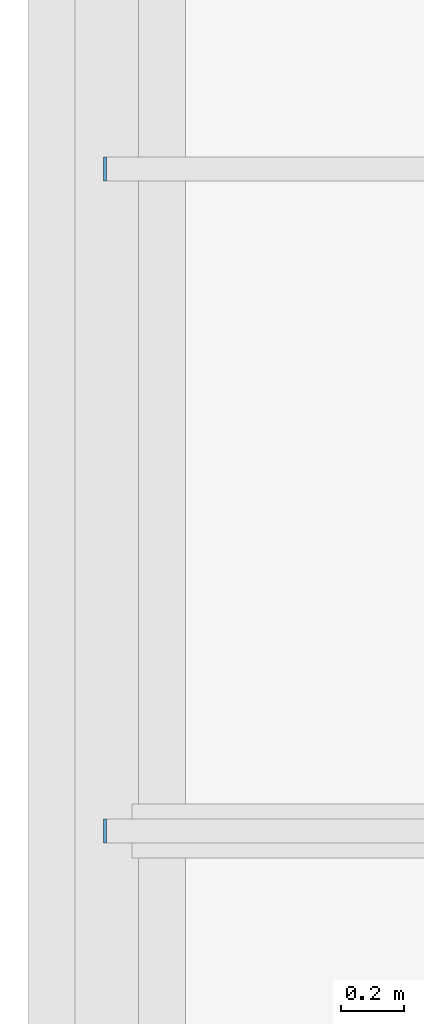
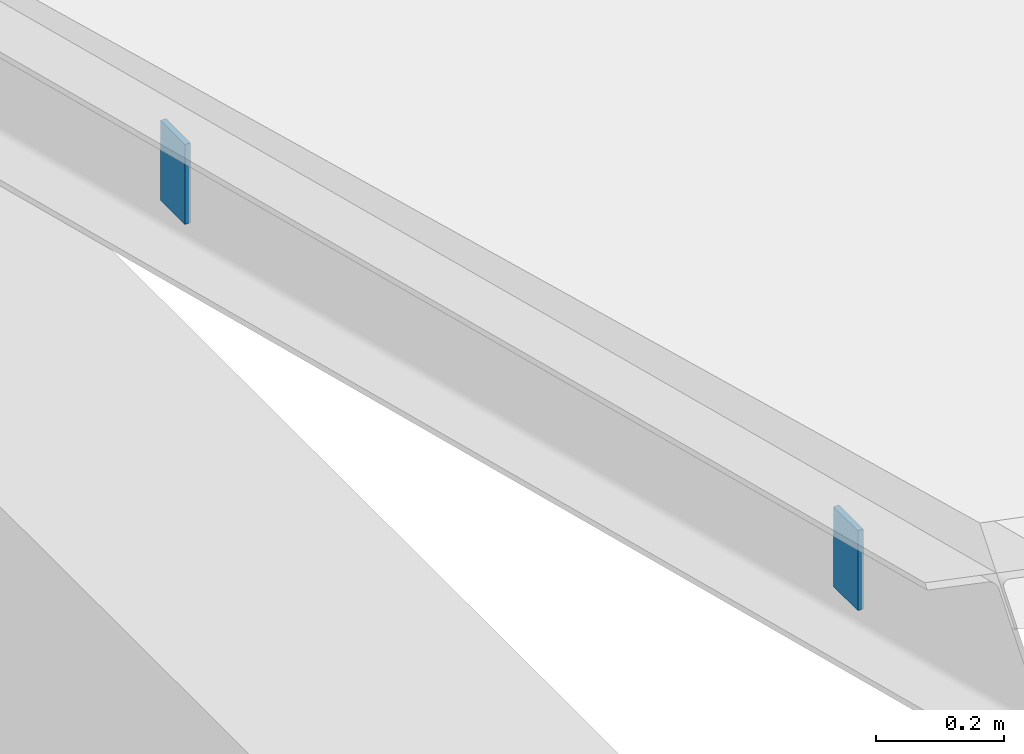
# One storey, part 7 of 17: 2 plates.
"""IFC4 building model written with IfcOpenShell, lengths in metres."""

import ifcopenshell
import ifcopenshell.guid

model = None  # the IFC model being written
_history = None  # IfcOwnerHistory: only IFC2X3 demands one
_inside = {}  # id of a spatial element -> (the spatial element, [elements in it])
_under = {}  # id of a project, library or spatial element -> (it, [spatial elements below it])
_declared = {}  # id of a project -> (the project, [libraries it declares])
_typed = {}  # id of a type object -> (the type object, [elements of that type])
_made_of = {}  # id of a material, layer set ... -> (it, [elements and type objects made of it])


def new_model(schema):
    """Start an empty IFC model of exactly this schema.

    Asked for "IFC4X3", IfcOpenShell would pick the latest addendum, in which some entities
    have other attributes; the version numbers below select the first issue.
    IFC2X3 requires an IfcOwnerHistory on every rooted entity: one is made here for all.
    """
    global model, _history
    if schema == "IFC4X3":
        model = ifcopenshell.file(schema_version=(4, 3, 0, 0))
    else:
        model = ifcopenshell.file(schema=schema)
    _inside.clear()
    _under.clear()
    _declared.clear()
    _typed.clear()
    _made_of.clear()
    _history = None
    if model.schema == "IFC2X3":
        org = make("IfcOrganization", Name="unknown")
        user = make(
            "IfcPersonAndOrganization",
            ThePerson=make("IfcPerson", FamilyName="unknown"),
            TheOrganization=org,
        )
        app = make(
            "IfcApplication",
            ApplicationDeveloper=org,
            Version="unknown",
            ApplicationFullName="unknown",
            ApplicationIdentifier="unknown",
        )
        _history = make(
            "IfcOwnerHistory",
            OwningUser=user,
            OwningApplication=app,
            ChangeAction="ADDED",
            CreationDate=0,
        )
    return model


def make(cls, **values):
    """One entity of the class cls with the attributes given. An attribute that is None is left unset."""
    return model.create_entity(
        cls, **{name: value for name, value in values.items() if value is not None}
    )


def rooted(cls, **values):
    """An entity with a GlobalId (a new one), such as an element, a storey or a relation."""
    return make(cls, GlobalId=ifcopenshell.guid.new(), OwnerHistory=_history, **values)


def si_unit(unit_type, name, prefix=None):
    """IfcSIUnit, for example si_unit("LENGTHUNIT", "METRE", prefix="MILLI")."""
    return make("IfcSIUnit", UnitType=unit_type, Prefix=prefix, Name=name)


def derived_unit(unit_type, elements):
    """IfcDerivedUnit: a product of units, each with its exponent."""
    return make(
        "IfcDerivedUnit",
        Elements=[
            make("IfcDerivedUnitElement", Unit=unit, Exponent=power)
            for unit, power in elements
        ],
        UnitType=unit_type,
    )


def assignment(units):
    """IfcUnitAssignment: the units of a project."""
    return None if units is None else make("IfcUnitAssignment", Units=units)


def point(xyz):
    """IfcCartesianPoint."""
    return None if xyz is None else make("IfcCartesianPoint", Coordinates=xyz)


def direction(xyz):
    """IfcDirection."""
    return None if xyz is None else make("IfcDirection", DirectionRatios=xyz)


def frame(location, z_axis=None, x_axis=None):
    """IfcAxis2Placement3D, a coordinate frame: its origin and axes. An axis left out is left unset."""
    return make(
        "IfcAxis2Placement3D",
        Location=point(location),
        Axis=direction(z_axis),
        RefDirection=direction(x_axis),
    )


def frame_2d(location, x_axis=None):
    """IfcAxis2Placement2D, a coordinate frame in the plane: its origin and x axis."""
    return make(
        "IfcAxis2Placement2D", Location=point(location), RefDirection=direction(x_axis)
    )


def origin():
    """The frame at (0, 0, 0) with its axes left unset."""
    return frame((0.0, 0.0, 0.0))


def origin_2d():
    """The frame at (0, 0) in the plane with its x axis left unset."""
    return frame_2d((0.0, 0.0))


def place(relative_to, where):
    """IfcLocalPlacement: puts the frame where relative to a parent placement (None: the world)."""
    return make(
        "IfcLocalPlacement", PlacementRelTo=relative_to, RelativePlacement=where
    )


def context(
    kind, dimensions, precision=None, world=None, true_north=None, identifier=None
):
    """IfcGeometricRepresentationContext, for example the 3D "Model" context."""
    return make(
        "IfcGeometricRepresentationContext",
        ContextIdentifier=identifier,
        ContextType=kind,
        CoordinateSpaceDimension=dimensions,
        Precision=precision,
        WorldCoordinateSystem=world,
        TrueNorth=true_north,
    )


def subcontext(parent, identifier, kind, view, scale=None):
    """IfcGeometricRepresentationSubContext, for example "Body" below "Model"."""
    return make(
        "IfcGeometricRepresentationSubContext",
        ContextIdentifier=identifier,
        ContextType=kind,
        ParentContext=parent,
        TargetScale=scale,
        TargetView=view,
    )


def project(units=None, contexts=None):
    """IfcProject with its units and contexts."""
    return rooted(
        "IfcProject",
        Name="project",
        RepresentationContexts=contexts,
        UnitsInContext=assignment(units),
    )


def spatial(cls, under=None, at=None, **own):
    """A site, building, storey or space (cls), placed at a placement, below another one or the project."""
    s = rooted(cls, ObjectPlacement=at, **own)
    if under is not None:
        _under.setdefault(under.id(), (under, []))[1].append(s)
    return s


def profile(cls, at=None, kind="AREA", **sizes):
    """A parametric profile (cls). Its sizes go by their IFC names, for example OverallWidth=200.0."""
    return make(cls, ProfileType=kind, Position=at, **sizes)


def rectangle(**sizes):
    """IfcRectangleProfileDef."""
    return profile("IfcRectangleProfileDef", **sizes)


def extrude(swept, where, along, depth):
    """IfcExtrudedAreaSolid: the profile swept, set in the frame where, extruded along a direction by depth."""
    return make(
        "IfcExtrudedAreaSolid",
        SweptArea=swept,
        Position=where,
        ExtrudedDirection=direction(along),
        Depth=depth,
    )


def shape(context_of_items, identifier, shape_type, items):
    """IfcShapeRepresentation: the items that make up one representation, for example the "Body"."""
    return make(
        "IfcShapeRepresentation",
        ContextOfItems=context_of_items,
        RepresentationIdentifier=identifier,
        RepresentationType=shape_type,
        Items=items,
    )


def material(Name=None, Category=None):
    """IfcMaterial."""
    return make("IfcMaterial", Name=Name, Category=Category)


def layer(
    of_material, thickness, ventilated=None, Name=None, Category=None, Priority=None
):
    """IfcMaterialLayer: one layer of a wall or slab, of a material (None: an air gap)."""
    return make(
        "IfcMaterialLayer",
        Material=of_material,
        LayerThickness=thickness,
        IsVentilated=ventilated,
        Name=Name,
        Category=Category,
        Priority=Priority,
    )


def layer_set(layers, Name=None):
    """IfcMaterialLayerSet."""
    return make("IfcMaterialLayerSet", MaterialLayers=layers, LayerSetName=Name)


def made_of(thing, what):
    """Note that an element or type object is made of a material, layer set ...; save() writes the relation."""
    if what is not None:
        _made_of.setdefault(what.id(), (what, []))[1].append(thing)
    return thing


def type_object(cls, material=None, **own):
    """A type object (cls), such as IfcWallType, which elements share."""
    return made_of(rooted(cls, **own), material)


def element(
    cls,
    number,
    at=None,
    inside=None,
    cuts=None,
    type_object=None,
    material=None,
    context=None,
    identifier="Body",
    shape_type=None,
    held_by="IfcProductDefinitionShape",
    body=None,
    shapes=None,
    **own,
):
    """One element of the class cls, such as IfcWall. Its Tag is "e" and its number.

    at: its placement. inside: the storey or other place that contains it. cuts: it is an
    opening in that element (IfcRelVoidsElement). A single representation is given by context,
    identifier, shape_type and body (its items); several are given by shapes. held_by: the class
    of the entity that holds the representations. save() writes the other relations.
    """
    e = rooted(cls, Tag="e%d" % number, ObjectPlacement=at, **own)
    if body is not None:
        shapes = [shape(context, identifier, shape_type, body)]
    if shapes is not None:
        e.Representation = make(held_by, Representations=shapes)
    if inside is not None:
        _inside.setdefault(inside.id(), (inside, []))[1].append(e)
    if cuts is not None:
        rooted(
            "IfcRelVoidsElement", RelatingBuildingElement=cuts, RelatedOpeningElement=e
        )
    if type_object is not None:
        _typed.setdefault(type_object.id(), (type_object, []))[1].append(e)
    return made_of(e, material)


def aggregate(whole, parts):
    """IfcRelAggregates: a whole, such as a stair, and the parts it consists of."""
    return rooted("IfcRelAggregates", RelatingObject=whole, RelatedObjects=parts)


def save(model, path):
    """Write the relations noted so far, then the file.

    IfcRelAggregates (storeys below a building ...), IfcRelContainedInSpatialStructure (elements
    in a storey), IfcRelDefinesByType, IfcRelAssociatesMaterial and IfcRelDeclares: one each for
    every whole, place, type object, material and project.
    """
    for whole, parts in _under.values():
        aggregate(whole, parts)
    for where, things in _inside.values():
        rooted(
            "IfcRelContainedInSpatialStructure",
            RelatedElements=things,
            RelatingStructure=where,
        )
    for kind, things in _typed.values():
        rooted("IfcRelDefinesByType", RelatedObjects=things, RelatingType=kind)
    for what, things in _made_of.values():
        rooted("IfcRelAssociatesMaterial", RelatedObjects=things, RelatingMaterial=what)
    for by, libraries in _declared.values():
        rooted("IfcRelDeclares", RelatingContext=by, RelatedDefinitions=libraries)
    model.write(path)


model = new_model("IFC4")

# Units and contexts
model_context = context("Model", 3, precision=1e-05, world=origin(), true_north=direction((0.0, 1.0)))
body_context = subcontext(model_context, "Body", "Model", "MODEL_VIEW")
ifc_project = project(units=[si_unit("LENGTHUNIT", "METRE"), si_unit("AREAUNIT", "SQUARE_METRE"), si_unit("VOLUMEUNIT", "CUBIC_METRE"), si_unit("PLANEANGLEUNIT", "RADIAN"), si_unit("MASSUNIT", "GRAM", prefix="KILO"), derived_unit("THERMALTRANSMITTANCEUNIT", [(si_unit("POWERUNIT", "WATT"), 1), (si_unit("LENGTHUNIT", "METRE"), -2), (si_unit("THERMODYNAMICTEMPERATUREUNIT", "KELVIN"), -1)])], contexts=[model_context])

# Site, building, storey
site_placement = place(None, origin())
site = spatial("IfcSite", under=ifc_project, at=site_placement, CompositionType="ELEMENT")
building_placement = place(site_placement, origin())
building = spatial("IfcBuilding", under=site, at=building_placement, Name="Barrovel Congress Hotel", CompositionType="ELEMENT")
storey_placement = place(building_placement, frame((0.0, 0.0, 47.10009765625)))
storey = spatial("IfcBuildingStorey", under=building, at=storey_placement, Name="RF", CompositionType="ELEMENT", Elevation=47.10009765625)

# Plates
ifc_material = material(Name="Steel ASTM A992 Grade 50", Category="steel")
ifc_layer = layer(ifc_material, 0.010009765625)
ifc_layer_set = layer_set([ifc_layer], Name="Steel ASTM A992 Grade 50")
plate_type = type_object("IfcPlateType", Name="EC-10", PredefinedType="SHEET", material=ifc_layer_set)
for number, where, z_axis, x_axis, name in (
    (1, (16.794921875, 16.800048828125, 0.84912109375), (0.0, 0.0, 1.0), (-1.0, 0.0, 0.0), "End Cap Plate RF-PUR:16.8:16.8 start"),
    (2, (16.794921875, 18.89990234375, 0.3115234375), (0.0, 0.0, 1.0), (-1.0, 0.0, 0.0), "End Cap Plate RF-PUR:18.9:16.8 start"),
):
    element("IfcPlate", number, at=place(storey_placement, frame(where, z_axis=z_axis, x_axis=x_axis)), inside=storey, type_object=plate_type, Name=name, PredefinedType="SHEET", context=body_context, shape_type="SweptSolid", body=[
        extrude(rectangle(XDim=0.010009765625, YDim=0.076171875, at=origin_2d()), origin(), (0.0, 0.0, 1.0), 0.15234375),
    ])

save(model, "model.ifc")
